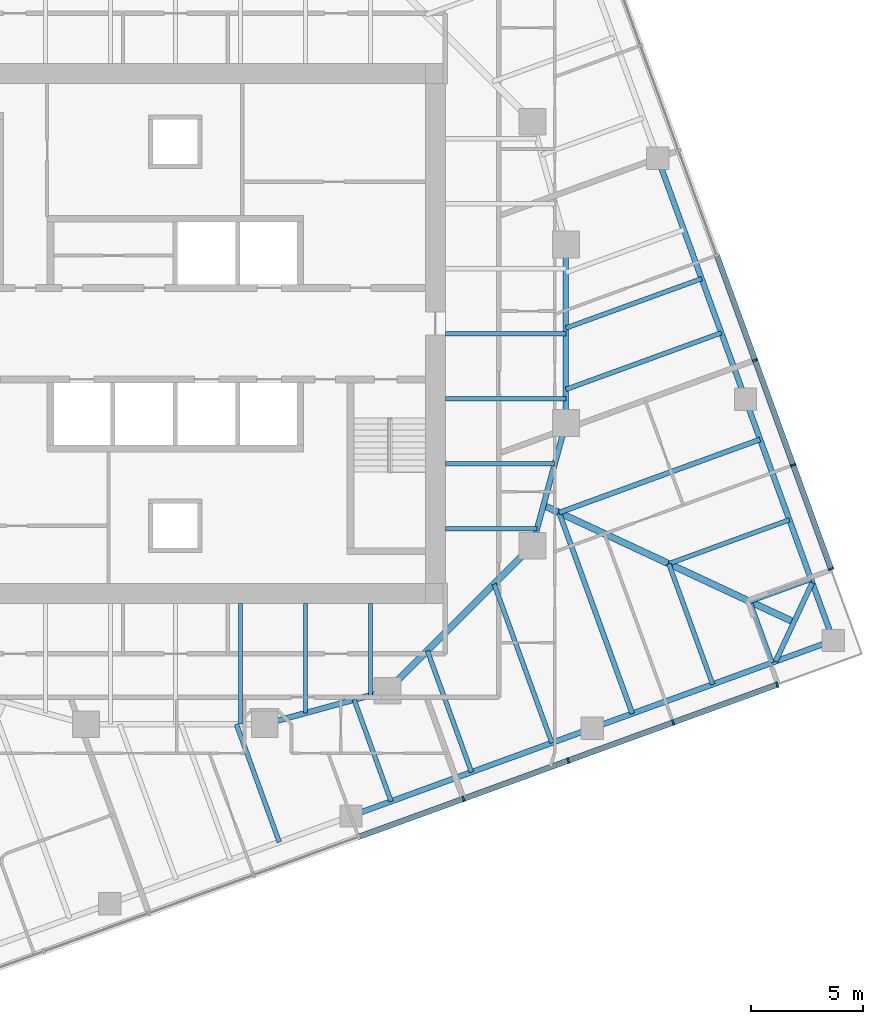
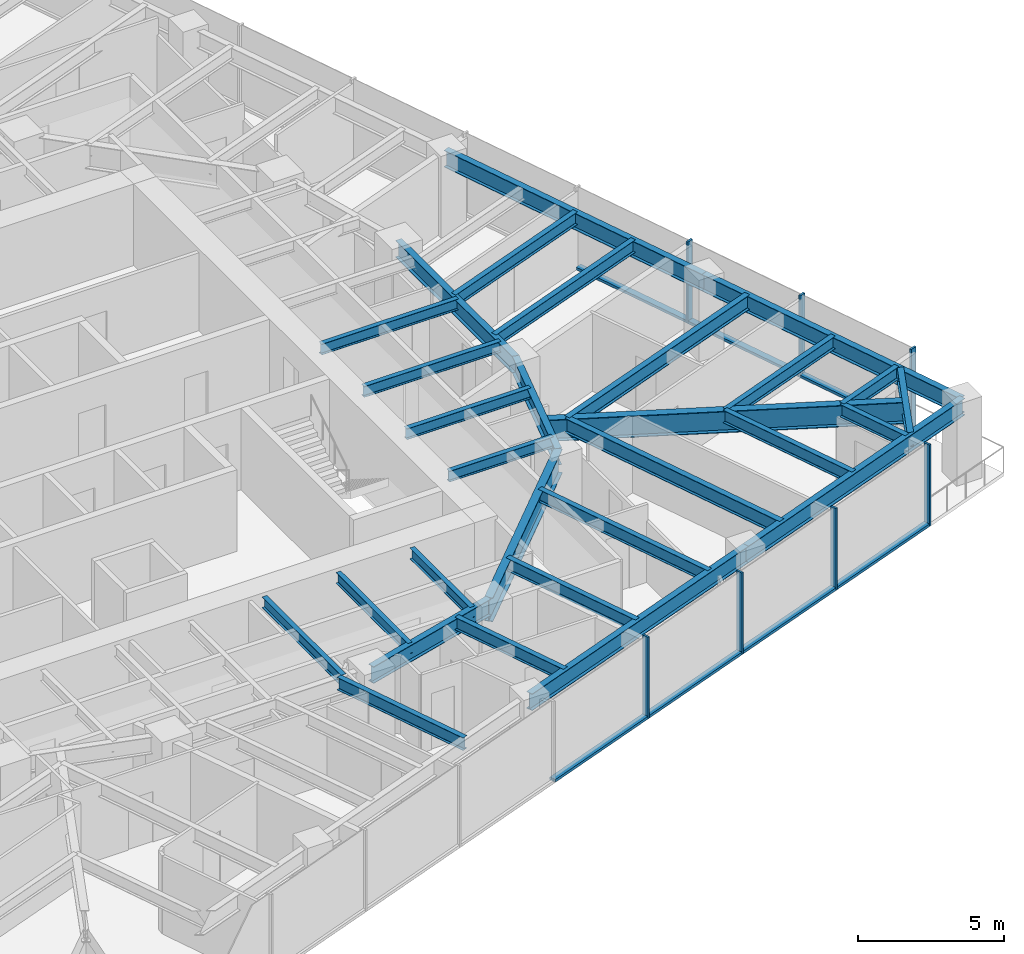
# One storey, part 3 of 13: 29 beams, 14 members, 2 elements without a shape of their own.
"""IFC4 building model written with IfcOpenShell, lengths in metres."""

import ifcopenshell
import ifcopenshell.guid

model = None  # the IFC model being written
_history = None  # IfcOwnerHistory: only IFC2X3 demands one
_inside = {}  # id of a spatial element -> (the spatial element, [elements in it])
_under = {}  # id of a project, library or spatial element -> (it, [spatial elements below it])
_declared = {}  # id of a project -> (the project, [libraries it declares])
_typed = {}  # id of a type object -> (the type object, [elements of that type])
_made_of = {}  # id of a material, layer set ... -> (it, [elements and type objects made of it])


def new_model(schema):
    """Start an empty IFC model of exactly this schema.

    Asked for "IFC4X3", IfcOpenShell would pick the latest addendum, in which some entities
    have other attributes; the version numbers below select the first issue.
    IFC2X3 requires an IfcOwnerHistory on every rooted entity: one is made here for all.
    """
    global model, _history
    if schema == "IFC4X3":
        model = ifcopenshell.file(schema_version=(4, 3, 0, 0))
    else:
        model = ifcopenshell.file(schema=schema)
    _inside.clear()
    _under.clear()
    _declared.clear()
    _typed.clear()
    _made_of.clear()
    _history = None
    if model.schema == "IFC2X3":
        org = make("IfcOrganization", Name="unknown")
        user = make(
            "IfcPersonAndOrganization",
            ThePerson=make("IfcPerson", FamilyName="unknown"),
            TheOrganization=org,
        )
        app = make(
            "IfcApplication",
            ApplicationDeveloper=org,
            Version="unknown",
            ApplicationFullName="unknown",
            ApplicationIdentifier="unknown",
        )
        _history = make(
            "IfcOwnerHistory",
            OwningUser=user,
            OwningApplication=app,
            ChangeAction="ADDED",
            CreationDate=0,
        )
    return model


def make(cls, **values):
    """One entity of the class cls with the attributes given. An attribute that is None is left unset."""
    return model.create_entity(
        cls, **{name: value for name, value in values.items() if value is not None}
    )


def rooted(cls, **values):
    """An entity with a GlobalId (a new one), such as an element, a storey or a relation."""
    return make(cls, GlobalId=ifcopenshell.guid.new(), OwnerHistory=_history, **values)


def si_unit(unit_type, name, prefix=None):
    """IfcSIUnit, for example si_unit("LENGTHUNIT", "METRE", prefix="MILLI")."""
    return make("IfcSIUnit", UnitType=unit_type, Prefix=prefix, Name=name)


def assignment(units):
    """IfcUnitAssignment: the units of a project."""
    return None if units is None else make("IfcUnitAssignment", Units=units)


def point(xyz):
    """IfcCartesianPoint."""
    return None if xyz is None else make("IfcCartesianPoint", Coordinates=xyz)


def direction(xyz):
    """IfcDirection."""
    return None if xyz is None else make("IfcDirection", DirectionRatios=xyz)


def frame(location, z_axis=None, x_axis=None):
    """IfcAxis2Placement3D, a coordinate frame: its origin and axes. An axis left out is left unset."""
    return make(
        "IfcAxis2Placement3D",
        Location=point(location),
        Axis=direction(z_axis),
        RefDirection=direction(x_axis),
    )


def frame_2d(location, x_axis=None):
    """IfcAxis2Placement2D, a coordinate frame in the plane: its origin and x axis."""
    return make(
        "IfcAxis2Placement2D", Location=point(location), RefDirection=direction(x_axis)
    )


def origin():
    """The frame at (0, 0, 0) with its axes left unset."""
    return frame((0.0, 0.0, 0.0))


def origin_2d():
    """The frame at (0, 0) in the plane with its x axis left unset."""
    return frame_2d((0.0, 0.0))


def place(relative_to, where):
    """IfcLocalPlacement: puts the frame where relative to a parent placement (None: the world)."""
    return make(
        "IfcLocalPlacement", PlacementRelTo=relative_to, RelativePlacement=where
    )


def context(
    kind, dimensions, precision=None, world=None, true_north=None, identifier=None
):
    """IfcGeometricRepresentationContext, for example the 3D "Model" context."""
    return make(
        "IfcGeometricRepresentationContext",
        ContextIdentifier=identifier,
        ContextType=kind,
        CoordinateSpaceDimension=dimensions,
        Precision=precision,
        WorldCoordinateSystem=world,
        TrueNorth=true_north,
    )


def subcontext(parent, identifier, kind, view, scale=None):
    """IfcGeometricRepresentationSubContext, for example "Body" below "Model"."""
    return make(
        "IfcGeometricRepresentationSubContext",
        ContextIdentifier=identifier,
        ContextType=kind,
        ParentContext=parent,
        TargetScale=scale,
        TargetView=view,
    )


def project(units=None, contexts=None):
    """IfcProject with its units and contexts."""
    return rooted(
        "IfcProject",
        Name="project",
        RepresentationContexts=contexts,
        UnitsInContext=assignment(units),
    )


def spatial(cls, under=None, at=None, **own):
    """A site, building, storey or space (cls), placed at a placement, below another one or the project."""
    s = rooted(cls, ObjectPlacement=at, **own)
    if under is not None:
        _under.setdefault(under.id(), (under, []))[1].append(s)
    return s


def profile(cls, at=None, kind="AREA", **sizes):
    """A parametric profile (cls). Its sizes go by their IFC names, for example OverallWidth=200.0."""
    return make(cls, ProfileType=kind, Position=at, **sizes)


def rectangle(**sizes):
    """IfcRectangleProfileDef."""
    return profile("IfcRectangleProfileDef", **sizes)


def i_section(**sizes):
    """IfcIShapeProfileDef."""
    return profile("IfcIShapeProfileDef", **sizes)


def extrude(swept, where, along, depth):
    """IfcExtrudedAreaSolid: the profile swept, set in the frame where, extruded along a direction by depth."""
    return make(
        "IfcExtrudedAreaSolid",
        SweptArea=swept,
        Position=where,
        ExtrudedDirection=direction(along),
        Depth=depth,
    )


def shape(context_of_items, identifier, shape_type, items):
    """IfcShapeRepresentation: the items that make up one representation, for example the "Body"."""
    return make(
        "IfcShapeRepresentation",
        ContextOfItems=context_of_items,
        RepresentationIdentifier=identifier,
        RepresentationType=shape_type,
        Items=items,
    )


def material(Name=None, Category=None):
    """IfcMaterial."""
    return make("IfcMaterial", Name=Name, Category=Category)


def material_profile(
    of_material, cross_section, Name=None, Category=None, Priority=None
):
    """IfcMaterialProfile: a cross section and its material."""
    return make(
        "IfcMaterialProfile",
        Name=Name,
        Material=of_material,
        Profile=cross_section,
        Priority=Priority,
        Category=Category,
    )


def profile_set(profiles, Name=None, composite=None):
    """IfcMaterialProfileSet."""
    return make(
        "IfcMaterialProfileSet",
        Name=Name,
        MaterialProfiles=profiles,
        CompositeProfile=composite,
    )


def made_of(thing, what):
    """Note that an element or type object is made of a material, layer set ...; save() writes the relation."""
    if what is not None:
        _made_of.setdefault(what.id(), (what, []))[1].append(thing)
    return thing


def type_object(cls, material=None, **own):
    """A type object (cls), such as IfcWallType, which elements share."""
    return made_of(rooted(cls, **own), material)


def element(
    cls,
    number,
    at=None,
    inside=None,
    cuts=None,
    type_object=None,
    material=None,
    context=None,
    identifier="Body",
    shape_type=None,
    held_by="IfcProductDefinitionShape",
    body=None,
    shapes=None,
    **own,
):
    """One element of the class cls, such as IfcWall. Its Tag is "e" and its number.

    at: its placement. inside: the storey or other place that contains it. cuts: it is an
    opening in that element (IfcRelVoidsElement). A single representation is given by context,
    identifier, shape_type and body (its items); several are given by shapes. held_by: the class
    of the entity that holds the representations. save() writes the other relations.
    """
    e = rooted(cls, Tag="e%d" % number, ObjectPlacement=at, **own)
    if body is not None:
        shapes = [shape(context, identifier, shape_type, body)]
    if shapes is not None:
        e.Representation = make(held_by, Representations=shapes)
    if inside is not None:
        _inside.setdefault(inside.id(), (inside, []))[1].append(e)
    if cuts is not None:
        rooted(
            "IfcRelVoidsElement", RelatingBuildingElement=cuts, RelatedOpeningElement=e
        )
    if type_object is not None:
        _typed.setdefault(type_object.id(), (type_object, []))[1].append(e)
    return made_of(e, material)


def aggregate(whole, parts):
    """IfcRelAggregates: a whole, such as a stair, and the parts it consists of."""
    return rooted("IfcRelAggregates", RelatingObject=whole, RelatedObjects=parts)


def save(model, path):
    """Write the relations noted so far, then the file.

    IfcRelAggregates (storeys below a building ...), IfcRelContainedInSpatialStructure (elements
    in a storey), IfcRelDefinesByType, IfcRelAssociatesMaterial and IfcRelDeclares: one each for
    every whole, place, type object, material and project.
    """
    for whole, parts in _under.values():
        aggregate(whole, parts)
    for where, things in _inside.values():
        rooted(
            "IfcRelContainedInSpatialStructure",
            RelatedElements=things,
            RelatingStructure=where,
        )
    for kind, things in _typed.values():
        rooted("IfcRelDefinesByType", RelatedObjects=things, RelatingType=kind)
    for what, things in _made_of.values():
        rooted("IfcRelAssociatesMaterial", RelatedObjects=things, RelatingMaterial=what)
    for by, libraries in _declared.values():
        rooted("IfcRelDeclares", RelatingContext=by, RelatedDefinitions=libraries)
    model.write(path)


model = new_model("IFC4")

# Units and contexts
model_context = context("Model", 3, precision=1e-05, world=origin(), true_north=direction((0.0, 1.0)))
body_context = subcontext(model_context, "Body", "Model", "MODEL_VIEW")
ifc_project = project(units=[si_unit("LENGTHUNIT", "METRE"), si_unit("AREAUNIT", "SQUARE_METRE"), si_unit("VOLUMEUNIT", "CUBIC_METRE"), si_unit("PLANEANGLEUNIT", "RADIAN"), si_unit("MASSUNIT", "GRAM", prefix="KILO")], contexts=[model_context])

# Site, building, storey
site_placement = place(None, origin())
site = spatial("IfcSite", under=ifc_project, at=site_placement, CompositionType="ELEMENT")
building_placement = place(site_placement, origin())
building = spatial("IfcBuilding", under=site, at=building_placement, Name="Torsade Residences", CompositionType="ELEMENT")
storey_placement = place(building_placement, frame((0.0, 0.0, 157.39990234375)))
storey = spatial("IfcBuildingStorey", under=building, at=storey_placement, Name="L43", CompositionType="ELEMENT", Elevation=157.39990234375)

# Beams
ifc_material_1 = material(Name="Steel grade 300", Category="steel")
ifc_material_profile_1 = material_profile(ifc_material_1, i_section(OverallWidth=0.300048828125, OverallDepth=0.89990234375, WebThickness=0.011962890625, FlangeThickness=0.02490234375, at=origin_2d()), Name="900WB175")
ifc_profile_set_1 = profile_set([ifc_material_profile_1], Name="Steel grade 300")
beam_type_1 = type_object("IfcBeamType", Name="CORNER GIRDER 900WB175", PredefinedType="BEAM", material=ifc_profile_set_1)
beam_1_placement = place(storey_placement, frame((67.717041015625, 17.075439453125, 2.800048828125), z_axis=(-0.906308509373, 0.422616712682, 0.0), x_axis=(-0.422616712682, -0.906308509373, 0.0)))
element("IfcBeam", 1, at=beam_1_placement, inside=storey, type_object=beam_type_1, Name="Corner girder 05 L44", PredefinedType="BEAM", context=body_context, shape_type="SweptSolid", body=[
    extrude(i_section(OverallWidth=0.300048828125, OverallDepth=0.89990234375, WebThickness=0.011962890625, FlangeThickness=0.02490234375, at=origin_2d()), origin(), (0.0, 0.0, 1.0), 12.3837890625),
])
ifc_material_2 = material(Name="Steel grade 300", Category="steel")
ifc_material_profile_2 = material_profile(ifc_material_2, i_section(OverallWidth=0.22802734375, OverallDepth=0.60205078125, WebThickness=0.010498046875, FlangeThickness=0.014892578125, FilletRadius=0.013916015625, at=origin_2d()), Name="610UB101")
ifc_profile_set_2 = profile_set([ifc_material_profile_2], Name="Steel grade 300")
beam_type_2 = type_object("IfcBeamType", Name="CORNER TRIMMER 610UB101", PredefinedType="BEAM", material=ifc_profile_set_2)
beam_2_placement = place(storey_placement, frame((68.538818359375, 18.837646484375, 2.94921875), z_axis=(-0.422613947806, -0.906309798645, 0.0), x_axis=(0.906309798645, -0.422613947806, 0.0)))
element("IfcBeam", 2, at=beam_2_placement, inside=storey, type_object=beam_type_2, Name="Corner trimmer 05 L44", PredefinedType="BEAM", context=body_context, shape_type="SweptSolid", body=[
    extrude(i_section(OverallWidth=0.22802734375, OverallDepth=0.60205078125, WebThickness=0.010498046875, FlangeThickness=0.014892578125, FilletRadius=0.013916015625, at=origin_2d()), origin(), (0.0, 0.0, 1.0), 3.888916015625),
])
ifc_material_3 = material(Name="Steel grade 300", Category="steel")
ifc_material_profile_3 = material_profile(ifc_material_3, i_section(OverallWidth=0.25, OverallDepth=0.699951171875, WebThickness=0.010009765625, FlangeThickness=0.02001953125, at=origin_2d()), Name="700WB130")
ifc_profile_set_3 = profile_set([ifc_material_profile_3], Name="Steel grade 300")
beam_type_3 = type_object("IfcBeamType", Name="EDGE BEAM 700WB130", PredefinedType="SPANDREL", material=ifc_profile_set_3)
for number, where, z_axis, x_axis, name in (
    (3, (47.866455078125, 8.386962890625, 2.900146484375), (0.939688625666, 0.342031119628, 0.0), (-0.342031119628, 0.939688625666, 0.0), "Edge beam 03 L44"),
    (4, (58.6728515625, 12.3203125, 2.900146484375), (0.939697932031, 0.342005550448, 0.0), (-0.342005550448, 0.939697932031, 0.0), "Edge beam 04 L44"),
):
    element("IfcBeam", number, at=place(storey_placement, frame(where, z_axis=z_axis, x_axis=x_axis)), inside=storey, type_object=beam_type_3, Name=name, PredefinedType="SPANDREL", context=body_context, shape_type="SweptSolid", body=[
        extrude(i_section(OverallWidth=0.25, OverallDepth=0.699951171875, WebThickness=0.010009765625, FlangeThickness=0.02001953125, at=origin_2d()), origin(), (0.0, 0.0, 1.0), 11.5),
    ])
beam_3_placement = place(storey_placement, frame((69.4794921875, 16.25341796875, 2.900146484375), z_axis=(-0.342024296483, 0.93969110915, 0.0), x_axis=(-0.93969110915, -0.342024296483, 0.0)))
element("IfcBeam", 5, at=beam_3_placement, inside=storey, type_object=beam_type_3, Name="Edge beam 05 L44", PredefinedType="SPANDREL", context=body_context, shape_type="SweptSolid", body=[
    extrude(i_section(OverallWidth=0.25, OverallDepth=0.699951171875, WebThickness=0.010009765625, FlangeThickness=0.02001953125, at=origin_2d()), origin(), (0.0, 0.0, 1.0), 11.500244140625),
])
beam_4_placement = place(storey_placement, frame((65.546142578125, 27.06005859375, 2.900146484375), z_axis=(-0.342012373318, 0.939695448801, 0.0), x_axis=(-0.939695448801, -0.342012373318, 0.0)))
element("IfcBeam", 6, at=beam_4_placement, inside=storey, type_object=beam_type_3, Name="Edge beam 06 L44", PredefinedType="SPANDREL", context=body_context, shape_type="SweptSolid", body=[
    extrude(i_section(OverallWidth=0.25, OverallDepth=0.699951171875, WebThickness=0.010009765625, FlangeThickness=0.02001953125, at=origin_2d()), origin(), (0.0, 0.0, 1.0), 11.5),
])
ifc_material_4 = material(Name="Steel grade 300", Category="steel")
ifc_material_profile_4 = material_profile(ifc_material_4, i_section(OverallWidth=0.18994140625, OverallDepth=0.4541015625, WebThickness=0.008544921875, FlangeThickness=0.0126953125, FilletRadius=0.011474609375, at=origin_2d()), Name="460UB67.1")
ifc_profile_set_4 = profile_set([ifc_material_profile_4], Name="Steel grade 300")
beam_type_4 = type_object("IfcBeamType", Name="INNER FLOOR BEAM 460UB67.1", PredefinedType="JOIST", material=ifc_profile_set_4)
beam_5_placement = place(storey_placement, frame((48.737548828125, 17.89990234375, 3.023193359375), z_axis=(0.0, -1.0, 0.0), x_axis=(1.0, 0.0, 0.0)))
element("IfcBeam", 7, at=beam_5_placement, inside=storey, type_object=beam_type_4, Name="Inner floor beam IS01 L44", PredefinedType="JOIST", context=body_context, shape_type="SweptSolid", body=[
    extrude(i_section(OverallWidth=0.18994140625, OverallDepth=0.4541015625, WebThickness=0.008544921875, FlangeThickness=0.0126953125, FilletRadius=0.011474609375, at=origin_2d()), origin(), (0.0, 0.0, 1.0), 4.10791015625),
])
beam_6_placement = place(storey_placement, frame((45.824951171875, 17.89990234375, 3.023193359375), z_axis=(0.0, -1.0, 0.0), x_axis=(1.0, 0.0, 0.0)))
element("IfcBeam", 8, at=beam_6_placement, inside=storey, type_object=beam_type_4, Name="Inner floor beam IS02 L44", PredefinedType="JOIST", context=body_context, shape_type="SweptSolid", body=[
    extrude(i_section(OverallWidth=0.18994140625, OverallDepth=0.4541015625, WebThickness=0.008544921875, FlangeThickness=0.0126953125, FilletRadius=0.011474609375, at=origin_2d()), origin(), (0.0, 0.0, 1.0), 4.902099609375),
])
beam_7_placement = place(storey_placement, frame((42.91259765625, 17.89990234375, 3.023193359375), z_axis=(0.0, -1.0, 0.0), x_axis=(1.0, 0.0, 0.0)))
element("IfcBeam", 9, at=beam_7_placement, inside=storey, type_object=beam_type_4, Name="Inner floor beam IS03 L44", PredefinedType="JOIST", context=body_context, shape_type="SweptSolid", body=[
    extrude(i_section(OverallWidth=0.18994140625, OverallDepth=0.4541015625, WebThickness=0.008544921875, FlangeThickness=0.0126953125, FilletRadius=0.011474609375, at=origin_2d()), origin(), (0.0, 0.0, 1.0), 5.39990234375),
])
beam_8_placement = place(storey_placement, frame((52.10009765625, 21.262451171875, 3.023193359375), z_axis=(1.0, 0.0, 0.0), x_axis=(0.0, 1.0, 0.0)))
element("IfcBeam", 10, at=beam_8_placement, inside=storey, type_object=beam_type_4, Name="Inner floor beam IE01 L44", PredefinedType="JOIST", context=body_context, shape_type="SweptSolid", body=[
    extrude(i_section(OverallWidth=0.18994140625, OverallDepth=0.4541015625, WebThickness=0.008544921875, FlangeThickness=0.0126953125, FilletRadius=0.011474609375, at=origin_2d()), origin(), (0.0, 0.0, 1.0), 4.10791015625),
])
beam_9_placement = place(storey_placement, frame((52.10009765625, 24.175048828125, 3.023193359375), z_axis=(1.0, 0.0, 0.0), x_axis=(0.0, 1.0, 0.0)))
element("IfcBeam", 11, at=beam_9_placement, inside=storey, type_object=beam_type_4, Name="Inner floor beam IE02 L44", PredefinedType="JOIST", context=body_context, shape_type="SweptSolid", body=[
    extrude(i_section(OverallWidth=0.18994140625, OverallDepth=0.4541015625, WebThickness=0.008544921875, FlangeThickness=0.0126953125, FilletRadius=0.011474609375, at=origin_2d()), origin(), (0.0, 0.0, 1.0), 4.902099609375),
])
for number, where, z_axis, x_axis, name in (
    (12, (52.10009765625, 27.08740234375, 3.023193359375), (1.0, 0.0, 0.0), (0.0, 1.0, 0.0), "Inner floor beam IE03 L44"),
    (13, (52.10009765625, 30.0, 3.023193359375), (1.0, 0.0, 0.0), (0.0, 1.0, 0.0), "Inner floor beam IE04 L44"),
):
    element("IfcBeam", number, at=place(storey_placement, frame(where, z_axis=z_axis, x_axis=x_axis)), inside=storey, type_object=beam_type_4, Name=name, PredefinedType="JOIST", context=body_context, shape_type="SweptSolid", body=[
        extrude(i_section(OverallWidth=0.18994140625, OverallDepth=0.4541015625, WebThickness=0.008544921875, FlangeThickness=0.0126953125, FilletRadius=0.011474609375, at=origin_2d()), origin(), (0.0, 0.0, 1.0), 5.39990234375),
    ])

# Curtain wall, members
ifc_material_5 = material(Name="Aluminium and glass", Category="aluminium")
curtain_wall_type = type_object("IfcCurtainWallType", Name="FRITTED GLASS CURTAIN WALL MID ZONE", PredefinedType="NOTDEFINED", material=ifc_material_5)
curtain_wall_1_placement = place(storey_placement, origin())
curtain_wall_1 = element("IfcCurtainWall", 14, at=curtain_wall_1_placement, inside=storey, type_object=curtain_wall_type, Name="Curtain wall L43 face 1", PredefinedType="NOTDEFINED")
ifc_material_6 = material(Name="Aluminium mullion", Category="aluminium")
ifc_material_profile_5 = material_profile(ifc_material_6, rectangle(XDim=0.25, YDim=0.080078125, at=origin_2d()), Name="MID ZONE CURTAIN WALL MULLION 250x80")
ifc_profile_set_5 = profile_set([ifc_material_profile_5], Name="Aluminium mullion")
member_type_1 = type_object("IfcMemberType", Name="MID ZONE CURTAIN WALL MULLION 250x80", PredefinedType="MULLION", material=ifc_profile_set_5)
member_1_placement = place(storey_placement, frame((52.906982421875, 9.157470703125, 0.0), z_axis=(0.0, 0.0, 1.0), x_axis=(-0.342020147869, 0.939692619132, 0.0)))
member_1 = element("IfcMember", 15, at=member_1_placement, type_object=member_type_1, Name="Mullion 6", PredefinedType="MULLION", context=body_context, shape_type="SweptSolid", body=[
    extrude(rectangle(XDim=0.25, YDim=0.080078125, at=origin_2d()), origin(), (0.0, 0.0, 1.0), 3.400146484375),
])
member_2_placement = place(storey_placement, frame((57.60546875, 10.86767578125, 0.0), z_axis=(0.0, 0.0, 1.0), x_axis=(-0.342020147869, 0.939692619132, 0.0)))
member_2 = element("IfcMember", 16, at=member_2_placement, type_object=member_type_1, Name="Mullion 7", PredefinedType="MULLION", context=body_context, shape_type="SweptSolid", body=[
    extrude(rectangle(XDim=0.25, YDim=0.080078125, at=origin_2d()), origin(), (0.0, 0.0, 1.0), 3.400146484375),
])
member_3_placement = place(storey_placement, frame((62.303955078125, 12.57763671875, 0.0), z_axis=(0.0, 0.0, 1.0), x_axis=(-0.342020147869, 0.939692619132, 0.0)))
member_3 = element("IfcMember", 17, at=member_3_placement, type_object=member_type_1, Name="Mullion 8", PredefinedType="MULLION", context=body_context, shape_type="SweptSolid", body=[
    extrude(rectangle(XDim=0.25, YDim=0.080078125, at=origin_2d()), origin(), (0.0, 0.0, 1.0), 3.400146484375),
])
member_4_placement = place(storey_placement, frame((66.96484375, 14.274169921875, 0.0), z_axis=(0.0, 0.0, 1.0), x_axis=(-0.342020147869, 0.939692619132, 0.0)))
member_4 = element("IfcMember", 18, at=member_4_placement, type_object=member_type_1, Name="Mullion 9", PredefinedType="MULLION", context=body_context, shape_type="SweptSolid", body=[
    extrude(rectangle(XDim=0.25, YDim=0.080078125, at=origin_2d()), origin(), (0.0, 0.0, 1.0), 3.400146484375),
])

curtain_wall_2_placement = place(storey_placement, origin())
curtain_wall_2 = element("IfcCurtainWall", 19, at=curtain_wall_2_placement, inside=storey, type_object=curtain_wall_type, Name="Curtain wall L43 face 4", PredefinedType="NOTDEFINED")
member_5_placement = place(storey_placement, frame((69.37939453125, 19.4521484375, 0.0), z_axis=(0.0, 0.0, 1.0), x_axis=(-0.939692619132, -0.342020147869, 0.0)))
member_5 = element("IfcMember", 20, at=member_5_placement, type_object=member_type_1, Name="Mullion 1", PredefinedType="MULLION", context=body_context, shape_type="SweptSolid", body=[
    extrude(rectangle(XDim=0.25, YDim=0.080078125, at=origin_2d()), origin(), (0.0, 0.0, 1.0), 3.400146484375),
])
member_6_placement = place(storey_placement, frame((67.682861328125, 24.113037109375, 0.0), z_axis=(0.0, 0.0, 1.0), x_axis=(-0.939692619132, -0.342020147869, 0.0)))
member_6 = element("IfcMember", 21, at=member_6_placement, type_object=member_type_1, Name="Mullion 2", PredefinedType="MULLION", context=body_context, shape_type="SweptSolid", body=[
    extrude(rectangle(XDim=0.25, YDim=0.080078125, at=origin_2d()), origin(), (0.0, 0.0, 1.0), 3.400146484375),
])
member_7_placement = place(storey_placement, frame((65.972900390625, 28.8115234375, 0.0), z_axis=(0.0, 0.0, 1.0), x_axis=(-0.939692619132, -0.342020147869, 0.0)))
member_7 = element("IfcMember", 22, at=member_7_placement, type_object=member_type_1, Name="Mullion 3", PredefinedType="MULLION", context=body_context, shape_type="SweptSolid", body=[
    extrude(rectangle(XDim=0.25, YDim=0.080078125, at=origin_2d()), origin(), (0.0, 0.0, 1.0), 3.400146484375),
])

# Member
ifc_material_7 = material(Name="Aluminium transom", Category="aluminium")
ifc_material_profile_6 = material_profile(ifc_material_7, rectangle(XDim=0.25, YDim=0.110107421875, at=origin_2d()), Name="MID ZONE CURTAIN WALL TRANSOM 250x110")
ifc_profile_set_6 = profile_set([ifc_material_profile_6], Name="Aluminium transom")
member_type_2 = type_object("IfcMemberType", Name="MID ZONE CURTAIN WALL TRANSOM 250x110", PredefinedType="USERDEFINED", material=ifc_profile_set_6)
member_8_placement = place(storey_placement, frame((48.24609375, 7.4609375, 0.05517578125), z_axis=(0.93968471549, 0.342041862168, 0.0), x_axis=(-0.342041862168, 0.93968471549, 0.0)))
member_8 = element("IfcMember", 23, at=member_8_placement, type_object=member_type_2, Name="Transom 5.1", ObjectType="TRANSOM", PredefinedType="USERDEFINED", context=body_context, shape_type="SweptSolid", body=[
    extrude(rectangle(XDim=0.25, YDim=0.110107421875, at=origin_2d()), origin(), (0.0, 0.0, 1.0), 4.920166015625),
])

member_9_placement = place(storey_placement, frame((52.944580078125, 9.171142578125, 0.05517578125), z_axis=(0.93968471549, 0.342041862168, 0.0), x_axis=(-0.342041862168, 0.93968471549, 0.0)))
member_9 = element("IfcMember", 24, at=member_9_placement, type_object=member_type_2, Name="Transom 6.1", ObjectType="TRANSOM", PredefinedType="USERDEFINED", context=body_context, shape_type="SweptSolid", body=[
    extrude(rectangle(XDim=0.25, YDim=0.110107421875, at=origin_2d()), origin(), (0.0, 0.0, 1.0), 4.920166015625),
])

member_10_placement = place(storey_placement, frame((57.64306640625, 10.88134765625, 0.05517578125), z_axis=(0.9397006637, 0.341998044792, 0.0), x_axis=(-0.341998044792, 0.9397006637, 0.0)))
member_10 = element("IfcMember", 25, at=member_10_placement, type_object=member_type_2, Name="Transom 7.1", ObjectType="TRANSOM", PredefinedType="USERDEFINED", context=body_context, shape_type="SweptSolid", body=[
    extrude(rectangle(XDim=0.25, YDim=0.110107421875, at=origin_2d()), origin(), (0.0, 0.0, 1.0), 4.919921875),
])

member_11_placement = place(storey_placement, frame((62.341552734375, 12.59130859375, 0.05517578125), z_axis=(0.939683823915, 0.342044311564, 0.0), x_axis=(-0.342044311564, 0.939683823915, 0.0)))
member_11 = element("IfcMember", 26, at=member_11_placement, type_object=member_type_2, Name="Transom 8.1", ObjectType="TRANSOM", PredefinedType="USERDEFINED", context=body_context, shape_type="SweptSolid", body=[
    extrude(rectangle(XDim=0.25, YDim=0.110107421875, at=origin_2d()), origin(), (0.0, 0.0, 1.0), 4.880126953125),
])

aggregate(curtain_wall_1, [member_1, member_2, member_3, member_4, member_8, member_9, member_10, member_11])

member_12_placement = place(storey_placement, frame((69.36572265625, 19.48974609375, 0.05517578125), z_axis=(-0.342044311564, 0.939683823915, 0.0), x_axis=(-0.939683823915, -0.342044311564, 0.0)))
member_12 = element("IfcMember", 27, at=member_12_placement, type_object=member_type_2, Name="Transom 1.1", ObjectType="TRANSOM", PredefinedType="USERDEFINED", context=body_context, shape_type="SweptSolid", body=[
    extrude(rectangle(XDim=0.25, YDim=0.110107421875, at=origin_2d()), origin(), (0.0, 0.0, 1.0), 4.880126953125),
])

member_13_placement = place(storey_placement, frame((67.669189453125, 24.150634765625, 0.05517578125), z_axis=(-0.341998044792, 0.9397006637, 0.0), x_axis=(-0.9397006637, -0.341998044792, 0.0)))
member_13 = element("IfcMember", 28, at=member_13_placement, type_object=member_type_2, Name="Transom 2.1", ObjectType="TRANSOM", PredefinedType="USERDEFINED", context=body_context, shape_type="SweptSolid", body=[
    extrude(rectangle(XDim=0.25, YDim=0.110107421875, at=origin_2d()), origin(), (0.0, 0.0, 1.0), 4.919921875),
])

member_14_placement = place(storey_placement, frame((65.959228515625, 28.84912109375, 0.05517578125), z_axis=(-0.342041862168, 0.93968471549, 0.0), x_axis=(-0.93968471549, -0.342041862168, 0.0)))
member_14 = element("IfcMember", 29, at=member_14_placement, type_object=member_type_2, Name="Transom 3.1", ObjectType="TRANSOM", PredefinedType="USERDEFINED", context=body_context, shape_type="SweptSolid", body=[
    extrude(rectangle(XDim=0.25, YDim=0.110107421875, at=origin_2d()), origin(), (0.0, 0.0, 1.0), 4.920166015625),
])

aggregate(curtain_wall_2, [member_5, member_6, member_7, member_12, member_13, member_14])

# Beams
ifc_material_8 = material(Name="Steel grade 300", Category="steel")
ifc_material_profile_7 = material_profile(ifc_material_8, i_section(OverallWidth=0.300048828125, OverallDepth=1.0, WebThickness=0.01611328125, FlangeThickness=0.028076171875, at=origin_2d()), Name="1000WB215")
ifc_profile_set_7 = profile_set([ifc_material_profile_7], Name="Steel grade 300")
beam_type_5 = type_object("IfcBeamType", Name="RING CORNER GIRDER 1000WB215", PredefinedType="BEAM", material=ifc_profile_set_7)
beam_10_placement = place(storey_placement, frame((49.5, 14.0, 2.75), z_axis=(0.707106781187, 0.707106781187, 0.0), x_axis=(-0.707106781187, 0.707106781187, 0.0)))
element("IfcBeam", 30, at=beam_10_placement, inside=storey, type_object=beam_type_5, Name="Ring girder IR15 L44", PredefinedType="BEAM", context=body_context, shape_type="SweptSolid", body=[
    extrude(i_section(OverallWidth=0.300048828125, OverallDepth=1.0, WebThickness=0.01611328125, FlangeThickness=0.028076171875, at=origin_2d()), origin(), (0.0, 0.0, 1.0), 9.1923828125),
])
ifc_material_9 = material(Name="Steel grade 300", Category="steel")
ifc_material_profile_8 = material_profile(ifc_material_9, i_section(OverallWidth=0.25, OverallDepth=0.699951171875, WebThickness=0.010009765625, FlangeThickness=0.02001953125, at=origin_2d()), Name="700WB130")
ifc_profile_set_8 = profile_set([ifc_material_profile_8], Name="Steel grade 300")
beam_type_6 = type_object("IfcBeamType", Name="RING GIRDER 700WB130", PredefinedType="BEAM", material=ifc_profile_set_8)
beam_11_placement = place(storey_placement, frame((57.5, 26.0, 2.900146484375), z_axis=(0.0, 1.0, 0.0), x_axis=(-1.0, 0.0, 0.0)))
element("IfcBeam", 31, at=beam_11_placement, inside=storey, type_object=beam_type_6, Name="Ring girder IR01 L44", PredefinedType="BEAM", context=body_context, shape_type="SweptSolid", body=[
    extrude(i_section(OverallWidth=0.25, OverallDepth=0.699951171875, WebThickness=0.010009765625, FlangeThickness=0.02001953125, at=origin_2d()), origin(), (0.0, 0.0, 1.0), 8.0),
])
for number, where, z_axis, x_axis, name in (
    (32, (44.0, 12.5, 2.900146484375), (0.964763821238, 0.263117405792, 0.0), (-0.263117405792, 0.964763821238, 0.0), "Ring girder IR14 L44"),
    (33, (56.0, 20.5, 2.900146484375), (0.263117405792, 0.964763821238, 0.0), (-0.964763821238, 0.263117405792, 0.0), "Ring girder IR16 L44"),
):
    element("IfcBeam", number, at=place(storey_placement, frame(where, z_axis=z_axis, x_axis=x_axis)), inside=storey, type_object=beam_type_6, Name=name, PredefinedType="BEAM", context=body_context, shape_type="SweptSolid", body=[
        extrude(i_section(OverallWidth=0.25, OverallDepth=0.699951171875, WebThickness=0.010009765625, FlangeThickness=0.02001953125, at=origin_2d()), origin(), (0.0, 0.0, 1.0), 5.700927734375),
    ])
ifc_material_10 = material(Name="Steel grade 300", Category="steel")
ifc_material_profile_9 = material_profile(ifc_material_10, i_section(OverallWidth=0.208984375, OverallDepth=0.528076171875, WebThickness=0.009521484375, FlangeThickness=0.01318359375, FilletRadius=0.013916015625, at=origin_2d()), Name="530UB82.0")
ifc_profile_set_9 = profile_set([ifc_material_profile_9], Name="Steel grade 300")
beam_type_7 = type_object("IfcBeamType", Name="SECONDARY BEAM 530UB82.0", PredefinedType="JOIST", material=ifc_profile_set_9)
beam_12_placement = place(storey_placement, frame((44.65576171875, 7.218505859375, 2.986083984375), z_axis=(-0.341990681925, 0.939703343336, 0.0), x_axis=(-0.939703343336, -0.341990681925, 0.0)))
element("IfcBeam", 34, at=beam_12_placement, inside=storey, type_object=beam_type_7, Name="Floor beam FS06 L44", PredefinedType="JOIST", context=body_context, shape_type="SweptSolid", body=[
    extrude(i_section(OverallWidth=0.208984375, OverallDepth=0.528076171875, WebThickness=0.009521484375, FlangeThickness=0.01318359375, FilletRadius=0.013916015625, at=origin_2d()), origin(), (0.0, 0.0, 1.0), 5.620361328125),
])
beam_13_placement = place(storey_placement, frame((49.66748046875, 9.042724609375, 2.986083984375), z_axis=(-0.342014218604, 0.939694777187, 0.0), x_axis=(-0.939694777187, -0.342014218604, 0.0)))
element("IfcBeam", 35, at=beam_13_placement, inside=storey, type_object=beam_type_7, Name="Floor beam FS07 L44", PredefinedType="JOIST", context=body_context, shape_type="SweptSolid", body=[
    extrude(i_section(OverallWidth=0.208984375, OverallDepth=0.528076171875, WebThickness=0.009521484375, FlangeThickness=0.01318359375, FilletRadius=0.013916015625, at=origin_2d()), origin(), (0.0, 0.0, 1.0), 4.84326171875),
])
beam_14_placement = place(storey_placement, frame((53.269775390625, 10.353759765625, 2.986083984375), z_axis=(-0.342034409239, 0.939687428295, 0.0), x_axis=(-0.939687428295, -0.342034409239, 0.0)))
element("IfcBeam", 36, at=beam_14_placement, inside=storey, type_object=beam_type_7, Name="Floor beam FS08 L44", PredefinedType="JOIST", context=body_context, shape_type="SweptSolid", body=[
    extrude(i_section(OverallWidth=0.208984375, OverallDepth=0.528076171875, WebThickness=0.009521484375, FlangeThickness=0.01318359375, FilletRadius=0.013916015625, at=origin_2d()), origin(), (0.0, 0.0, 1.0), 5.785888671875),
])
beam_15_placement = place(storey_placement, frame((56.871826171875, 11.664794921875, 2.986083984375), z_axis=(-0.342027762686, 0.939689847531, 0.0), x_axis=(-0.939689847531, -0.342027762686, 0.0)))
element("IfcBeam", 37, at=beam_15_placement, inside=storey, type_object=beam_type_7, Name="Floor beam FS09 L44", PredefinedType="JOIST", context=body_context, shape_type="SweptSolid", body=[
    extrude(i_section(OverallWidth=0.208984375, OverallDepth=0.528076171875, WebThickness=0.009521484375, FlangeThickness=0.01318359375, FilletRadius=0.013916015625, at=origin_2d()), origin(), (0.0, 0.0, 1.0), 7.573486328125),
])
beam_16_placement = place(storey_placement, frame((64.076171875, 14.286865234375, 2.986083984375), z_axis=(-0.342005550448, 0.939697932031, 0.0), x_axis=(-0.939697932031, -0.342005550448, 0.0)))
element("IfcBeam", 38, at=beam_16_placement, inside=storey, type_object=beam_type_7, Name="Floor beam FS11 L44", PredefinedType="JOIST", context=body_context, shape_type="SweptSolid", body=[
    extrude(i_section(OverallWidth=0.208984375, OverallDepth=0.528076171875, WebThickness=0.009521484375, FlangeThickness=0.01318359375, FilletRadius=0.013916015625, at=origin_2d()), origin(), (0.0, 0.0, 1.0), 5.75),
])
for number, where, z_axis, x_axis, name in (
    (39, (66.738525390625, 15.255859375, 2.986083984375), (-0.341998427281, 0.939700524495, 0.0), (-0.939700524495, -0.341998427281, 0.0), "Floor beam FS12 L44"),
    (40, (68.48193359375, 18.994384765625, 2.986083984375), (-0.939700524495, -0.341998427281, 0.0), (0.341998427281, -0.939700524495, 0.0), "Floor beam FE01 L44"),
):
    element("IfcBeam", number, at=place(storey_placement, frame(where, z_axis=z_axis, x_axis=x_axis)), inside=storey, type_object=beam_type_7, Name=name, PredefinedType="JOIST", context=body_context, shape_type="SweptSolid", body=[
        extrude(i_section(OverallWidth=0.208984375, OverallDepth=0.528076171875, WebThickness=0.009521484375, FlangeThickness=0.01318359375, FilletRadius=0.013916015625, at=origin_2d()), origin(), (0.0, 0.0, 1.0), 2.916748046875),
    ])
beam_17_placement = place(storey_placement, frame((67.5126953125, 21.65673828125, 2.986083984375), z_axis=(-0.939692965423, -0.342019196443, 0.0), x_axis=(0.342019196443, -0.939692965423, 0.0)))
element("IfcBeam", 41, at=beam_17_placement, inside=storey, type_object=beam_type_7, Name="Floor beam FE02 L44", PredefinedType="JOIST", context=body_context, shape_type="SweptSolid", body=[
    extrude(i_section(OverallWidth=0.208984375, OverallDepth=0.528076171875, WebThickness=0.009521484375, FlangeThickness=0.01318359375, FilletRadius=0.013916015625, at=origin_2d()), origin(), (0.0, 0.0, 1.0), 5.749755859375),
])
beam_18_placement = place(storey_placement, frame((64.463134765625, 30.03564453125, 2.986083984375), z_axis=(-0.939690450554, -0.342026105929, 0.0), x_axis=(0.342026105929, -0.939690450554, 0.0)))
element("IfcBeam", 42, at=beam_18_placement, inside=storey, type_object=beam_type_7, Name="Floor beam FE04 L44", PredefinedType="JOIST", context=body_context, shape_type="SweptSolid", body=[
    extrude(i_section(OverallWidth=0.208984375, OverallDepth=0.528076171875, WebThickness=0.009521484375, FlangeThickness=0.01318359375, FilletRadius=0.013916015625, at=origin_2d()), origin(), (0.0, 0.0, 1.0), 7.409912109375),
])
beam_19_placement = place(storey_placement, frame((63.57958984375, 32.463134765625, 2.986083984375), z_axis=(-0.939699737026, -0.342000590983, 0.0), x_axis=(0.342000590983, -0.939699737026, 0.0)))
element("IfcBeam", 43, at=beam_19_placement, inside=storey, type_object=beam_type_7, Name="Floor beam FE05 L44", PredefinedType="JOIST", context=body_context, shape_type="SweptSolid", body=[
    extrude(i_section(OverallWidth=0.208984375, OverallDepth=0.528076171875, WebThickness=0.009521484375, FlangeThickness=0.01318359375, FilletRadius=0.013916015625, at=origin_2d()), origin(), (0.0, 0.0, 1.0), 6.4697265625),
])
ifc_material_11 = material(Name="Steel grade 300", Category="steel")
ifc_material_profile_10 = material_profile(ifc_material_11, i_section(OverallWidth=0.22900390625, OverallDepth=0.612060546875, WebThickness=0.011962890625, FlangeThickness=0.01953125, FilletRadius=0.013916015625, at=origin_2d()), Name="610UB125")
ifc_profile_set_10 = profile_set([ifc_material_profile_10], Name="Steel grade 300")
beam_type_8 = type_object("IfcBeamType", Name="SECONDARY BEAM 610UB125", PredefinedType="JOIST", material=ifc_profile_set_10)
for number, where, z_axis, x_axis, name in (
    (44, (60.47412109375, 12.975830078125, 2.944091796875), (-0.342033504181, 0.939687757725, 0.0), (-0.939687757725, -0.342033504181, 0.0), "Floor beam FS10 L44"),
    (45, (66.20166015625, 25.259033203125, 2.944091796875), (-0.939687757725, -0.342033504181, 0.0), (0.342033504181, -0.939687757725, 0.0), "Floor beam FE03 L44"),
):
    element("IfcBeam", number, at=place(storey_placement, frame(where, z_axis=z_axis, x_axis=x_axis)), inside=storey, type_object=beam_type_8, Name=name, PredefinedType="JOIST", context=body_context, shape_type="SweptSolid", body=[
        extrude(i_section(OverallWidth=0.22900390625, OverallDepth=0.612060546875, WebThickness=0.011962890625, FlangeThickness=0.01953125, FilletRadius=0.013916015625, at=origin_2d()), origin(), (0.0, 0.0, 1.0), 9.583251953125),
    ])

save(model, "model.ifc")
